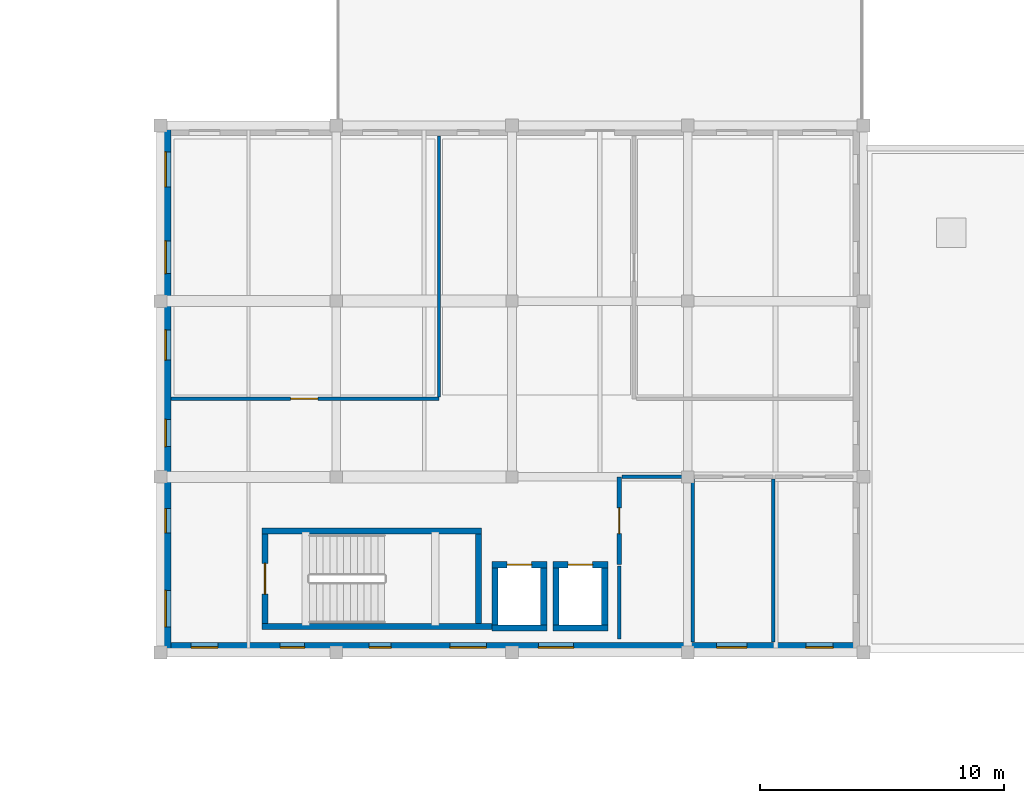
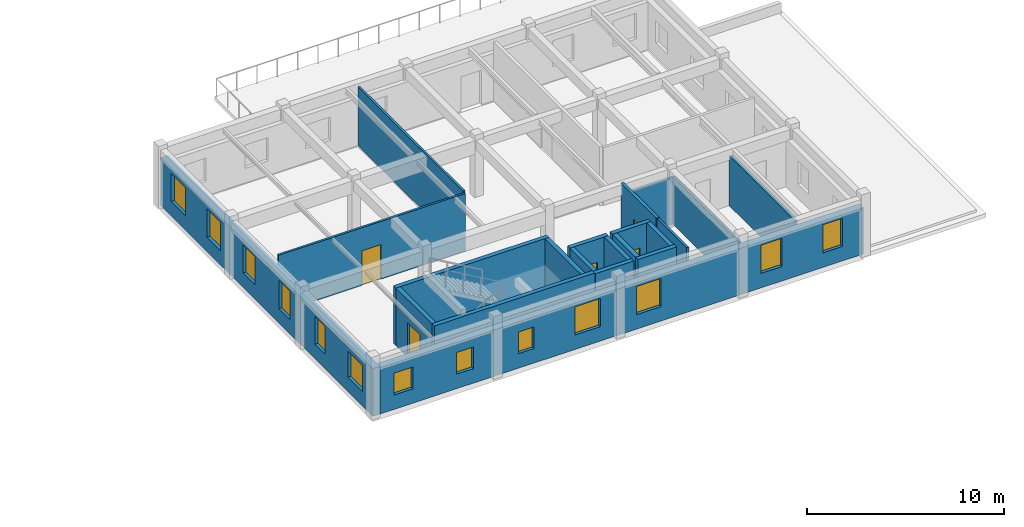
# One storey, part 11 of 20: 21 walls, 13 windows, 5 doors, 18 openings.
"""IFC4 building model written with IfcOpenShell, lengths in metres."""

import ifcopenshell
import ifcopenshell.guid

model = None  # the IFC model being written
_history = None  # IfcOwnerHistory: only IFC2X3 demands one
_inside = {}  # id of a spatial element -> (the spatial element, [elements in it])
_under = {}  # id of a project, library or spatial element -> (it, [spatial elements below it])
_declared = {}  # id of a project -> (the project, [libraries it declares])
_typed = {}  # id of a type object -> (the type object, [elements of that type])
_made_of = {}  # id of a material, layer set ... -> (it, [elements and type objects made of it])


def new_model(schema):
    """Start an empty IFC model of exactly this schema.

    Asked for "IFC4X3", IfcOpenShell would pick the latest addendum, in which some entities
    have other attributes; the version numbers below select the first issue.
    IFC2X3 requires an IfcOwnerHistory on every rooted entity: one is made here for all.
    """
    global model, _history
    if schema == "IFC4X3":
        model = ifcopenshell.file(schema_version=(4, 3, 0, 0))
    else:
        model = ifcopenshell.file(schema=schema)
    _inside.clear()
    _under.clear()
    _declared.clear()
    _typed.clear()
    _made_of.clear()
    _history = None
    if model.schema == "IFC2X3":
        org = make("IfcOrganization", Name="unknown")
        user = make(
            "IfcPersonAndOrganization",
            ThePerson=make("IfcPerson", FamilyName="unknown"),
            TheOrganization=org,
        )
        app = make(
            "IfcApplication",
            ApplicationDeveloper=org,
            Version="unknown",
            ApplicationFullName="unknown",
            ApplicationIdentifier="unknown",
        )
        _history = make(
            "IfcOwnerHistory",
            OwningUser=user,
            OwningApplication=app,
            ChangeAction="ADDED",
            CreationDate=0,
        )
    return model


def make(cls, **values):
    """One entity of the class cls with the attributes given. An attribute that is None is left unset."""
    return model.create_entity(
        cls, **{name: value for name, value in values.items() if value is not None}
    )


def rooted(cls, **values):
    """An entity with a GlobalId (a new one), such as an element, a storey or a relation."""
    return make(cls, GlobalId=ifcopenshell.guid.new(), OwnerHistory=_history, **values)


def si_unit(unit_type, name, prefix=None):
    """IfcSIUnit, for example si_unit("LENGTHUNIT", "METRE", prefix="MILLI")."""
    return make("IfcSIUnit", UnitType=unit_type, Prefix=prefix, Name=name)


def assignment(units):
    """IfcUnitAssignment: the units of a project."""
    return None if units is None else make("IfcUnitAssignment", Units=units)


def point(xyz):
    """IfcCartesianPoint."""
    return None if xyz is None else make("IfcCartesianPoint", Coordinates=xyz)


def direction(xyz):
    """IfcDirection."""
    return None if xyz is None else make("IfcDirection", DirectionRatios=xyz)


def frame(location, z_axis=None, x_axis=None):
    """IfcAxis2Placement3D, a coordinate frame: its origin and axes. An axis left out is left unset."""
    return make(
        "IfcAxis2Placement3D",
        Location=point(location),
        Axis=direction(z_axis),
        RefDirection=direction(x_axis),
    )


def frame_2d(location, x_axis=None):
    """IfcAxis2Placement2D, a coordinate frame in the plane: its origin and x axis."""
    return make(
        "IfcAxis2Placement2D", Location=point(location), RefDirection=direction(x_axis)
    )


def origin():
    """The frame at (0, 0, 0) with its axes left unset."""
    return frame((0.0, 0.0, 0.0))


def place(relative_to, where):
    """IfcLocalPlacement: puts the frame where relative to a parent placement (None: the world)."""
    return make(
        "IfcLocalPlacement", PlacementRelTo=relative_to, RelativePlacement=where
    )


def context(
    kind, dimensions, precision=None, world=None, true_north=None, identifier=None
):
    """IfcGeometricRepresentationContext, for example the 3D "Model" context."""
    return make(
        "IfcGeometricRepresentationContext",
        ContextIdentifier=identifier,
        ContextType=kind,
        CoordinateSpaceDimension=dimensions,
        Precision=precision,
        WorldCoordinateSystem=world,
        TrueNorth=true_north,
    )


def subcontext(parent, identifier, kind, view, scale=None):
    """IfcGeometricRepresentationSubContext, for example "Body" below "Model"."""
    return make(
        "IfcGeometricRepresentationSubContext",
        ContextIdentifier=identifier,
        ContextType=kind,
        ParentContext=parent,
        TargetScale=scale,
        TargetView=view,
    )


def project(units=None, contexts=None):
    """IfcProject with its units and contexts."""
    return rooted(
        "IfcProject",
        Name="project",
        RepresentationContexts=contexts,
        UnitsInContext=assignment(units),
    )


def spatial(cls, under=None, at=None, **own):
    """A site, building, storey or space (cls), placed at a placement, below another one or the project."""
    s = rooted(cls, ObjectPlacement=at, **own)
    if under is not None:
        _under.setdefault(under.id(), (under, []))[1].append(s)
    return s


def profile(cls, at=None, kind="AREA", **sizes):
    """A parametric profile (cls). Its sizes go by their IFC names, for example OverallWidth=200.0."""
    return make(cls, ProfileType=kind, Position=at, **sizes)


def rectangle(**sizes):
    """IfcRectangleProfileDef."""
    return profile("IfcRectangleProfileDef", **sizes)


def extrude(swept, where, along, depth):
    """IfcExtrudedAreaSolid: the profile swept, set in the frame where, extruded along a direction by depth."""
    return make(
        "IfcExtrudedAreaSolid",
        SweptArea=swept,
        Position=where,
        ExtrudedDirection=direction(along),
        Depth=depth,
    )


def shape(context_of_items, identifier, shape_type, items):
    """IfcShapeRepresentation: the items that make up one representation, for example the "Body"."""
    return make(
        "IfcShapeRepresentation",
        ContextOfItems=context_of_items,
        RepresentationIdentifier=identifier,
        RepresentationType=shape_type,
        Items=items,
    )


def material(Name=None, Category=None):
    """IfcMaterial."""
    return make("IfcMaterial", Name=Name, Category=Category)


def layer(
    of_material, thickness, ventilated=None, Name=None, Category=None, Priority=None
):
    """IfcMaterialLayer: one layer of a wall or slab, of a material (None: an air gap)."""
    return make(
        "IfcMaterialLayer",
        Material=of_material,
        LayerThickness=thickness,
        IsVentilated=ventilated,
        Name=Name,
        Category=Category,
        Priority=Priority,
    )


def layer_set(layers, Name=None):
    """IfcMaterialLayerSet."""
    return make("IfcMaterialLayerSet", MaterialLayers=layers, LayerSetName=Name)


def made_of(thing, what):
    """Note that an element or type object is made of a material, layer set ...; save() writes the relation."""
    if what is not None:
        _made_of.setdefault(what.id(), (what, []))[1].append(thing)
    return thing


def type_object(cls, material=None, **own):
    """A type object (cls), such as IfcWallType, which elements share."""
    return made_of(rooted(cls, **own), material)


def element(
    cls,
    number,
    at=None,
    inside=None,
    cuts=None,
    type_object=None,
    material=None,
    context=None,
    identifier="Body",
    shape_type=None,
    held_by="IfcProductDefinitionShape",
    body=None,
    shapes=None,
    **own,
):
    """One element of the class cls, such as IfcWall. Its Tag is "e" and its number.

    at: its placement. inside: the storey or other place that contains it. cuts: it is an
    opening in that element (IfcRelVoidsElement). A single representation is given by context,
    identifier, shape_type and body (its items); several are given by shapes. held_by: the class
    of the entity that holds the representations. save() writes the other relations.
    """
    e = rooted(cls, Tag="e%d" % number, ObjectPlacement=at, **own)
    if body is not None:
        shapes = [shape(context, identifier, shape_type, body)]
    if shapes is not None:
        e.Representation = make(held_by, Representations=shapes)
    if inside is not None:
        _inside.setdefault(inside.id(), (inside, []))[1].append(e)
    if cuts is not None:
        rooted(
            "IfcRelVoidsElement", RelatingBuildingElement=cuts, RelatedOpeningElement=e
        )
    if type_object is not None:
        _typed.setdefault(type_object.id(), (type_object, []))[1].append(e)
    return made_of(e, material)


def fill(opening, filler):
    """IfcRelFillsElement: the door or window that sits in an opening."""
    return rooted(
        "IfcRelFillsElement",
        RelatingOpeningElement=opening,
        RelatedBuildingElement=filler,
    )


def aggregate(whole, parts):
    """IfcRelAggregates: a whole, such as a stair, and the parts it consists of."""
    return rooted("IfcRelAggregates", RelatingObject=whole, RelatedObjects=parts)


def save(model, path):
    """Write the relations noted so far, then the file.

    IfcRelAggregates (storeys below a building ...), IfcRelContainedInSpatialStructure (elements
    in a storey), IfcRelDefinesByType, IfcRelAssociatesMaterial and IfcRelDeclares: one each for
    every whole, place, type object, material and project.
    """
    for whole, parts in _under.values():
        aggregate(whole, parts)
    for where, things in _inside.values():
        rooted(
            "IfcRelContainedInSpatialStructure",
            RelatedElements=things,
            RelatingStructure=where,
        )
    for kind, things in _typed.values():
        rooted("IfcRelDefinesByType", RelatedObjects=things, RelatingType=kind)
    for what, things in _made_of.values():
        rooted("IfcRelAssociatesMaterial", RelatedObjects=things, RelatingMaterial=what)
    for by, libraries in _declared.values():
        rooted("IfcRelDeclares", RelatingContext=by, RelatedDefinitions=libraries)
    model.write(path)


model = new_model("IFC4")

# Units and contexts
model_context = context("Model", 3, precision=1e-05, world=origin(), true_north=direction((0.0, 1.0)))
body_context = subcontext(model_context, "Body", "Model", "MODEL_VIEW")
ifc_project = project(units=[si_unit("LENGTHUNIT", "METRE"), si_unit("AREAUNIT", "SQUARE_METRE"), si_unit("VOLUMEUNIT", "CUBIC_METRE"), si_unit("PLANEANGLEUNIT", "RADIAN"), si_unit("MASSUNIT", "GRAM", prefix="KILO")], contexts=[model_context])

# Site, building, storey
site_placement = place(None, origin())
site = spatial("IfcSite", under=ifc_project, at=site_placement, CompositionType="ELEMENT")
building_placement = place(site_placement, origin())
building = spatial("IfcBuilding", under=site, at=building_placement, Name="Bramveld Media Centre", CompositionType="ELEMENT")
storey_placement = place(building_placement, frame((0.0, 0.0, 18.0)))
storey = spatial("IfcBuildingStorey", under=building, at=storey_placement, Name="L04", CompositionType="ELEMENT", Elevation=18.0)

# Walls
ifc_material_1 = material(Name="Concrete C40/50 stair & lift core wall", Category="concrete")
ifc_layer_1 = layer(ifc_material_1, 0.25)
ifc_layer_set_1 = layer_set([ifc_layer_1], Name="Concrete C40/50 stair & lift core wall")
wall_type_1 = type_object("IfcWallType", Name="CWALL-SHEAR-250", PredefinedType="SHEAR", material=ifc_layer_set_1)
wall_1_placement = place(storey_placement, frame((69.75, 91.47509765625, 0.0), z_axis=(0.0, 0.0, 1.0), x_axis=(1.0, 0.0, 0.0)))
element("IfcWall", 1, at=wall_1_placement, inside=storey, type_object=wall_type_1, Name="ST-07 L04 stair core shear wall S", PredefinedType="SHEAR", context=body_context, shape_type="SweptSolid", body=[
    extrude(rectangle(XDim=9.570068359375, YDim=0.25, at=frame_2d((4.78515625, 0.0))), origin(), (0.0, 0.0, 1.0), 3.580078125),
])
wall_2_placement = place(storey_placement, frame((78.75, 95.375, 0.0), z_axis=(0.0, 0.0, 1.0), x_axis=(-1.0, 0.0, 0.0)))
element("IfcWall", 2, at=wall_2_placement, inside=storey, type_object=wall_type_1, Name="ST-07 L04 stair core shear wall N", PredefinedType="SHEAR", context=body_context, shape_type="SweptSolid", body=[
    extrude(rectangle(XDim=9.0, YDim=0.25, at=frame_2d((4.5, 0.0))), origin(), (0.0, 0.0, 1.0), 3.580078125),
])

# Wall, opening, door
wall_3_placement = place(storey_placement, frame((69.875, 95.25, 0.0), z_axis=(0.0, 0.0, 1.0), x_axis=(0.0, -1.0, 0.0)))
wall_3 = element("IfcWall", 3, at=wall_3_placement, inside=storey, type_object=wall_type_1, Name="ST-07 L04 stair core shear wall W", PredefinedType="SHEAR", context=body_context, shape_type="SweptSolid", body=[
    extrude(rectangle(XDim=3.64990234375, YDim=0.25, at=frame_2d((1.824951171875, 0.0))), origin(), (0.0, 0.0, 1.0), 3.580078125),
])
opening_1_placement = place(wall_3_placement, frame((1.199951171875, 0.0, 0.0)))
opening_1 = element("IfcOpeningElement", 4, at=opening_1_placement, cuts=wall_3, Name="Opening SD-07-L04", PredefinedType="OPENING", context=body_context, shape_type="SweptSolid", body=[
    extrude(rectangle(XDim=1.25, YDim=2.14990234375, at=frame_2d((0.625, 1.074951171875))), frame((0.0, 0.136962890625, 0.0), z_axis=(0.0, -1.0, 0.0), x_axis=(1.0, 0.0, 0.0)), (0.0, 0.0, 1.0), 0.27392578125),
])
ifc_material_2 = material(Name="Painted galvanized steel acoustic fire door with intumescent smoke seals", Category="steel")
door_type_1 = type_object("IfcDoorType", Name="DR-ST-1250", OperationType="NOTDEFINED", PredefinedType="DOOR", material=ifc_material_2)
door_1_placement = place(opening_1_placement, origin())
door_1 = element("IfcDoor", 5, at=door_1_placement, inside=storey, type_object=door_type_1, Name="ST-07 L04 pressurized stair fire door", OperationType="SINGLE_SWING_LEFT", OverallHeight=2.14990234375, OverallWidth=1.25, PredefinedType="DOOR", context=body_context, shape_type="SweptSolid", body=[
    extrude(rectangle(XDim=1.25, YDim=2.14990234375, at=frame_2d((0.625, 1.074951171875))), frame((0.0, 0.02490234375, 0.0), z_axis=(0.0, -1.0, 0.0), x_axis=(1.0, 0.0, 0.0)), (0.0, 0.0, 1.0), 0.050048828125),
])
fill(opening_1, door_1)

# Walls
wall_4_placement = place(storey_placement, frame((78.625, 91.60009765625, 0.0), z_axis=(0.0, 0.0, 1.0), x_axis=(0.0, 1.0, 0.0)))
element("IfcWall", 6, at=wall_4_placement, inside=storey, type_object=wall_type_1, Name="ST-07 L04 stair core shear wall E", PredefinedType="SHEAR", context=body_context, shape_type="SweptSolid", body=[
    extrude(rectangle(XDim=3.64990234375, YDim=0.25, at=frame_2d((1.824951171875, 0.0))), origin(), (0.0, 0.0, 1.0), 3.580078125),
])
wall_5_placement = place(storey_placement, frame((79.175048828125, 91.39990234375, 0.0), z_axis=(0.0, 0.0, 1.0), x_axis=(1.0, 0.0, 0.0)))
element("IfcWall", 7, at=wall_5_placement, inside=storey, type_object=wall_type_1, Name="PL-04 L04 lift shaft wall S", PredefinedType="SHEAR", context=body_context, shape_type="SweptSolid", body=[
    extrude(rectangle(XDim=2.25, YDim=0.25, at=frame_2d((1.125, 0.0))), origin(), (0.0, 0.0, 1.0), 3.580078125),
])

# Wall, opening, door
wall_6_placement = place(storey_placement, frame((81.425048828125, 94.0, 0.0), z_axis=(0.0, 0.0, 1.0), x_axis=(-1.0, 0.0, 0.0)))
wall_6 = element("IfcWall", 8, at=wall_6_placement, inside=storey, type_object=wall_type_1, Name="PL-04 L04 lift shaft wall N", PredefinedType="SHEAR", context=body_context, shape_type="SweptSolid", body=[
    extrude(rectangle(XDim=2.25, YDim=0.25, at=frame_2d((1.125, 0.0))), origin(), (0.0, 0.0, 1.0), 3.580078125),
])
opening_2_placement = place(wall_6_placement, frame((0.625, 0.0, 0.0)))
opening_2 = element("IfcOpeningElement", 9, at=opening_2_placement, cuts=wall_6, Name="Opening LD-02-04-L04", PredefinedType="OPENING", context=body_context, shape_type="SweptSolid", body=[
    extrude(rectangle(XDim=1.0, YDim=2.14990234375, at=frame_2d((0.5, 1.074951171875))), frame((0.0, 0.136962890625, 0.0), z_axis=(0.0, -1.0, 0.0), x_axis=(1.0, 0.0, 0.0)), (0.0, 0.0, 1.0), 0.27392578125),
])
ifc_material_3 = material(Name="Brushed stainless steel automatic fire-rated sliding lift landing door", Category="steel")
door_type_2 = type_object("IfcDoorType", Name="LD-TYPE-02", OperationType="SLIDING_TO_LEFT", PredefinedType="DOOR", material=ifc_material_3)
door_2_placement = place(opening_2_placement, origin())
door_2 = element("IfcDoor", 10, at=door_2_placement, inside=storey, type_object=door_type_2, Name="PL-04 L04 sliding lift landing door", OperationType="SLIDING_TO_LEFT", OverallHeight=2.14990234375, OverallWidth=1.0, PredefinedType="DOOR", context=body_context, shape_type="SweptSolid", body=[
    extrude(rectangle(XDim=1.0, YDim=2.14990234375, at=frame_2d((0.5, 1.074951171875))), frame((0.0, 0.02490234375, 0.0), z_axis=(0.0, -1.0, 0.0), x_axis=(1.0, 0.0, 0.0)), (0.0, 0.0, 1.0), 0.050048828125),
])
fill(opening_2, door_2)

# Walls
for number, where, z_axis, x_axis, name in (
    (11, (79.300048828125, 94.0, 0.0), (0.0, 0.0, 1.0), (0.0, -1.0, 0.0), "PL-04 L04 lift shaft wall W"),
    (12, (81.300048828125, 91.39990234375, 0.0), (0.0, 0.0, 1.0), (0.0, 1.0, 0.0), "PL-04 L04 lift shaft wall E"),
):
    element("IfcWall", number, at=place(storey_placement, frame(where, z_axis=z_axis, x_axis=x_axis)), inside=storey, type_object=wall_type_1, Name=name, PredefinedType="SHEAR", context=body_context, shape_type="SweptSolid", body=[
        extrude(rectangle(XDim=2.60009765625, YDim=0.25, at=frame_2d((1.300048828125, 0.0))), origin(), (0.0, 0.0, 1.0), 3.580078125),
    ])
wall_7_placement = place(storey_placement, frame((81.675048828125, 91.39990234375, 0.0), z_axis=(0.0, 0.0, 1.0), x_axis=(1.0, 0.0, 0.0)))
element("IfcWall", 13, at=wall_7_placement, inside=storey, type_object=wall_type_1, Name="PL-03 L04 lift shaft wall S", PredefinedType="SHEAR", context=body_context, shape_type="SweptSolid", body=[
    extrude(rectangle(XDim=2.25, YDim=0.25, at=frame_2d((1.125, 0.0))), origin(), (0.0, 0.0, 1.0), 3.580078125),
])

# Wall, opening, door
wall_8_placement = place(storey_placement, frame((83.925048828125, 94.0, 0.0), z_axis=(0.0, 0.0, 1.0), x_axis=(-1.0, 0.0, 0.0)))
wall_8 = element("IfcWall", 14, at=wall_8_placement, inside=storey, type_object=wall_type_1, Name="PL-03 L04 lift shaft wall N", PredefinedType="SHEAR", context=body_context, shape_type="SweptSolid", body=[
    extrude(rectangle(XDim=2.25, YDim=0.25, at=frame_2d((1.125, 0.0))), origin(), (0.0, 0.0, 1.0), 3.580078125),
])
opening_3_placement = place(wall_8_placement, frame((0.625, 0.0, 0.0)))
opening_3 = element("IfcOpeningElement", 15, at=opening_3_placement, cuts=wall_8, Name="Opening LD-02-03-L04", PredefinedType="OPENING", context=body_context, shape_type="SweptSolid", body=[
    extrude(rectangle(XDim=1.0, YDim=2.14990234375, at=frame_2d((0.5, 1.074951171875))), frame((0.0, 0.136962890625, 0.0), z_axis=(0.0, -1.0, 0.0), x_axis=(1.0, 0.0, 0.0)), (0.0, 0.0, 1.0), 0.27392578125),
])
door_3_placement = place(opening_3_placement, origin())
door_3 = element("IfcDoor", 16, at=door_3_placement, inside=storey, type_object=door_type_2, Name="PL-03 L04 sliding lift landing door", OperationType="SLIDING_TO_LEFT", OverallHeight=2.14990234375, OverallWidth=1.0, PredefinedType="DOOR", context=body_context, shape_type="SweptSolid", body=[
    extrude(rectangle(XDim=1.0, YDim=2.14990234375, at=frame_2d((0.5, 1.074951171875))), frame((0.0, 0.02490234375, 0.0), z_axis=(0.0, -1.0, 0.0), x_axis=(1.0, 0.0, 0.0)), (0.0, 0.0, 1.0), 0.050048828125),
])
fill(opening_3, door_3)

# Walls
for number, where, z_axis, x_axis, name in (
    (17, (81.800048828125, 94.0, 0.0), (0.0, 0.0, 1.0), (0.0, -1.0, 0.0), "PL-03 L04 lift shaft wall W"),
    (18, (83.800048828125, 91.39990234375, 0.0), (0.0, 0.0, 1.0), (0.0, 1.0, 0.0), "PL-03 L04 lift shaft wall E"),
):
    element("IfcWall", number, at=place(storey_placement, frame(where, z_axis=z_axis, x_axis=x_axis)), inside=storey, type_object=wall_type_1, Name=name, PredefinedType="SHEAR", context=body_context, shape_type="SweptSolid", body=[
        extrude(rectangle(XDim=2.60009765625, YDim=0.25, at=frame_2d((1.300048828125, 0.0))), origin(), (0.0, 0.0, 1.0), 3.580078125),
    ])

# Wall, openings, windows
ifc_material_4 = material(Name="Flemish red-brown clay facing brick cavity wall with concrete C35/45 inner leaf", Category="masonry")
ifc_layer_2 = layer(ifc_material_4, 0.419921875)
ifc_layer_set_2 = layer_set([ifc_layer_2], Name="Flemish red-brown clay facing brick cavity wall with concrete C35/45 inner leaf")
wall_type_2 = type_object("IfcWallType", Name="EW-BRK-420", PredefinedType="SOLIDWALL", material=ifc_layer_set_2)
wall_9_placement = place(storey_placement, frame((94.39990234375, 90.610107421875, 0.0), z_axis=(0.0, 0.0, 1.0), x_axis=(-1.0, 0.0, 0.0)))
wall_9 = element("IfcWall", 19, at=wall_9_placement, inside=storey, type_object=wall_type_2, Name="V6 L04 S facing brick exterior wall", PredefinedType="SOLIDWALL", context=body_context, shape_type="SweptSolid", body=[
    extrude(rectangle(XDim=28.7998046875, YDim=0.419921875, at=frame_2d((14.39990234375, 0.0))), origin(), (0.0, 0.0, 1.0), 2.875),
])
opening_4_placement = place(wall_9_placement, frame((1.239990234375, 0.0, 0.89990234375)))
opening_4 = element("IfcOpeningElement", 20, at=opening_4_placement, cuts=wall_9, Name="Opening W-20", PredefinedType="OPENING", context=body_context, shape_type="SweptSolid", body=[
    extrude(rectangle(XDim=1.1201171875, YDim=1.75, at=frame_2d((0.56005859375, 0.875))), frame((0.0, 0.221923828125, 0.0), z_axis=(0.0, -1.0, 0.0), x_axis=(1.0, 0.0, 0.0)), (0.0, 0.0, 1.0), 0.44384765625),
])
opening_5_placement = place(wall_9_placement, frame((4.780029296875, 0.0, 0.89990234375)))
opening_5 = element("IfcOpeningElement", 21, at=opening_5_placement, cuts=wall_9, Name="Opening W-21", PredefinedType="OPENING", context=body_context, shape_type="SweptSolid", body=[
    extrude(rectangle(XDim=1.239990234375, YDim=1.75, at=frame_2d((0.6201171875, 0.875))), frame((0.0, 0.221923828125, 0.0), z_axis=(0.0, -1.0, 0.0), x_axis=(1.0, 0.0, 0.0)), (0.0, 0.0, 1.0), 0.44384765625),
])
opening_6_placement = place(wall_9_placement, frame((11.8798828125, 0.0, 0.89990234375)))
opening_6 = element("IfcOpeningElement", 22, at=opening_6_placement, cuts=wall_9, Name="Opening W-23", PredefinedType="OPENING", context=body_context, shape_type="SweptSolid", body=[
    extrude(rectangle(XDim=1.43994140625, YDim=1.75, at=frame_2d((0.719970703125, 0.875))), frame((0.0, 0.221923828125, 0.0), z_axis=(0.0, -1.0, 0.0), x_axis=(1.0, 0.0, 0.0)), (0.0, 0.0, 1.0), 0.44384765625),
])
opening_7_placement = place(wall_9_placement, frame((15.449951171875, 0.0, 0.89990234375)))
opening_7 = element("IfcOpeningElement", 23, at=opening_7_placement, cuts=wall_9, Name="Opening W-24", PredefinedType="OPENING", context=body_context, shape_type="SweptSolid", body=[
    extrude(rectangle(XDim=1.5, YDim=1.75, at=frame_2d((0.75, 0.875))), frame((0.0, 0.221923828125, 0.0), z_axis=(0.0, -1.0, 0.0), x_axis=(1.0, 0.0, 0.0)), (0.0, 0.0, 1.0), 0.44384765625),
])
opening_8_placement = place(wall_9_placement, frame((19.35009765625, 0.0, 0.89990234375)))
opening_8 = element("IfcOpeningElement", 24, at=opening_8_placement, cuts=wall_9, Name="Opening W-01", PredefinedType="OPENING", context=body_context, shape_type="SweptSolid", body=[
    extrude(rectangle(XDim=0.89990234375, YDim=1.35009765625, at=frame_2d((0.449951171875, 0.675048828125))), frame((0.0, 0.221923828125, 0.0), z_axis=(0.0, -1.0, 0.0), x_axis=(1.0, 0.0, 0.0)), (0.0, 0.0, 1.0), 0.44384765625),
])
opening_9_placement = place(wall_9_placement, frame((22.89990234375, 0.0, 0.89990234375)))
opening_9 = element("IfcOpeningElement", 25, at=opening_9_placement, cuts=wall_9, Name="Opening W-02", PredefinedType="OPENING", context=body_context, shape_type="SweptSolid", body=[
    extrude(rectangle(XDim=1.0, YDim=1.35009765625, at=frame_2d((0.5, 0.675048828125))), frame((0.0, 0.221923828125, 0.0), z_axis=(0.0, -1.0, 0.0), x_axis=(1.0, 0.0, 0.0)), (0.0, 0.0, 1.0), 0.44384765625),
])
opening_10_placement = place(wall_9_placement, frame((26.449951171875, 0.0, 0.89990234375)))
opening_10 = element("IfcOpeningElement", 26, at=opening_10_placement, cuts=wall_9, Name="Opening W-03", PredefinedType="OPENING", context=body_context, shape_type="SweptSolid", body=[
    extrude(rectangle(XDim=1.10009765625, YDim=1.35009765625, at=frame_2d((0.550048828125, 0.675048828125))), frame((0.0, 0.221923828125, 0.0), z_axis=(0.0, -1.0, 0.0), x_axis=(1.0, 0.0, 0.0)), (0.0, 0.0, 1.0), 0.44384765625),
])
ifc_material_5 = material(Name="Thermally broken anodized bronze aluminium frame with triple acoustic glazing", Category="aluminium")
window_type_1 = type_object("IfcWindowType", Name="WIN-FAC-01", PartitioningType="SINGLE_PANEL", PredefinedType="WINDOW", material=ifc_material_5)
window_1_placement = place(opening_8_placement, origin())
window_1 = element("IfcWindow", 27, at=window_1_placement, inside=storey, type_object=window_type_1, Name="V6 L04 S acoustic facade window", OverallHeight=1.35009765625, OverallWidth=0.89990234375, PartitioningType="SINGLE_PANEL", PredefinedType="WINDOW", context=body_context, shape_type="SweptSolid", body=[
    extrude(rectangle(XDim=0.89990234375, YDim=1.35009765625, at=frame_2d((0.449951171875, 0.675048828125))), frame((0.0, 0.030029296875, 0.0), z_axis=(0.0, -1.0, 0.0), x_axis=(1.0, 0.0, 0.0)), (0.0, 0.0, 1.0), 0.06005859375),
])
fill(opening_8, window_1)
ifc_material_6 = material(Name="Thermally broken anodized bronze aluminium frame with triple acoustic glazing", Category="aluminium")
window_type_2 = type_object("IfcWindowType", Name="WIN-FAC-02", PartitioningType="SINGLE_PANEL", PredefinedType="WINDOW", material=ifc_material_6)
window_2_placement = place(opening_9_placement, origin())
window_2 = element("IfcWindow", 28, at=window_2_placement, inside=storey, type_object=window_type_2, Name="V6 L04 S acoustic facade window", OverallHeight=1.35009765625, OverallWidth=1.0, PartitioningType="SINGLE_PANEL", PredefinedType="WINDOW", context=body_context, shape_type="SweptSolid", body=[
    extrude(rectangle(XDim=1.0, YDim=1.35009765625, at=frame_2d((0.5, 0.675048828125))), frame((0.0, 0.030029296875, 0.0), z_axis=(0.0, -1.0, 0.0), x_axis=(1.0, 0.0, 0.0)), (0.0, 0.0, 1.0), 0.06005859375),
])
fill(opening_9, window_2)
ifc_material_7 = material(Name="Thermally broken anodized bronze aluminium frame with triple acoustic glazing", Category="aluminium")
window_type_3 = type_object("IfcWindowType", Name="WIN-FAC-03", PartitioningType="SINGLE_PANEL", PredefinedType="WINDOW", material=ifc_material_7)
window_3_placement = place(opening_10_placement, origin())
window_3 = element("IfcWindow", 29, at=window_3_placement, inside=storey, type_object=window_type_3, Name="V6 L04 S acoustic facade window", OverallHeight=1.35009765625, OverallWidth=1.10009765625, PartitioningType="SINGLE_PANEL", PredefinedType="WINDOW", context=body_context, shape_type="SweptSolid", body=[
    extrude(rectangle(XDim=1.10009765625, YDim=1.35009765625, at=frame_2d((0.550048828125, 0.675048828125))), frame((0.0, 0.030029296875, 0.0), z_axis=(0.0, -1.0, 0.0), x_axis=(1.0, 0.0, 0.0)), (0.0, 0.0, 1.0), 0.06005859375),
])
fill(opening_10, window_3)
ifc_material_8 = material(Name="Thermally broken anodized bronze aluminium frame with triple acoustic glazing", Category="aluminium")
window_type_4 = type_object("IfcWindowType", Name="WIN-FAC-20", PartitioningType="SINGLE_PANEL", PredefinedType="WINDOW", material=ifc_material_8)
window_4_placement = place(opening_4_placement, origin())
window_4 = element("IfcWindow", 30, at=window_4_placement, inside=storey, type_object=window_type_4, Name="V6 L04 S acoustic facade window", OverallHeight=1.75, OverallWidth=1.1201171875, PartitioningType="SINGLE_PANEL", PredefinedType="WINDOW", context=body_context, shape_type="SweptSolid", body=[
    extrude(rectangle(XDim=1.1201171875, YDim=1.75, at=frame_2d((0.56005859375, 0.875))), frame((0.0, 0.030029296875, 0.0), z_axis=(0.0, -1.0, 0.0), x_axis=(1.0, 0.0, 0.0)), (0.0, 0.0, 1.0), 0.06005859375),
])
fill(opening_4, window_4)
ifc_material_9 = material(Name="Thermally broken anodized bronze aluminium frame with triple acoustic glazing", Category="aluminium")
window_type_5 = type_object("IfcWindowType", Name="WIN-FAC-21", PartitioningType="SINGLE_PANEL", PredefinedType="WINDOW", material=ifc_material_9)
window_5_placement = place(opening_5_placement, origin())
window_5 = element("IfcWindow", 31, at=window_5_placement, inside=storey, type_object=window_type_5, Name="V6 L04 S acoustic facade window", OverallHeight=1.75, OverallWidth=1.239990234375, PartitioningType="SINGLE_PANEL", PredefinedType="WINDOW", context=body_context, shape_type="SweptSolid", body=[
    extrude(rectangle(XDim=1.239990234375, YDim=1.75, at=frame_2d((0.6201171875, 0.875))), frame((0.0, 0.030029296875, 0.0), z_axis=(0.0, -1.0, 0.0), x_axis=(1.0, 0.0, 0.0)), (0.0, 0.0, 1.0), 0.06005859375),
])
fill(opening_5, window_5)
ifc_material_10 = material(Name="Thermally broken anodized bronze aluminium frame with triple acoustic glazing", Category="aluminium")
window_type_6 = type_object("IfcWindowType", Name="WIN-FAC-23", PartitioningType="SINGLE_PANEL", PredefinedType="WINDOW", material=ifc_material_10)
window_6_placement = place(opening_6_placement, origin())
window_6 = element("IfcWindow", 32, at=window_6_placement, inside=storey, type_object=window_type_6, Name="V6 L04 S acoustic facade window", OverallHeight=1.75, OverallWidth=1.43994140625, PartitioningType="SINGLE_PANEL", PredefinedType="WINDOW", context=body_context, shape_type="SweptSolid", body=[
    extrude(rectangle(XDim=1.43994140625, YDim=1.75, at=frame_2d((0.719970703125, 0.875))), frame((0.0, 0.030029296875, 0.0), z_axis=(0.0, -1.0, 0.0), x_axis=(1.0, 0.0, 0.0)), (0.0, 0.0, 1.0), 0.06005859375),
])
fill(opening_6, window_6)
ifc_material_11 = material(Name="Thermally broken anodized bronze aluminium frame with triple acoustic glazing", Category="aluminium")
window_type_7 = type_object("IfcWindowType", Name="WIN-FAC-24", PartitioningType="SINGLE_PANEL", PredefinedType="WINDOW", material=ifc_material_11)
window_7_placement = place(opening_7_placement, origin())
window_7 = element("IfcWindow", 33, at=window_7_placement, inside=storey, type_object=window_type_7, Name="V6 L04 S acoustic facade window", OverallHeight=1.75, OverallWidth=1.5, PartitioningType="SINGLE_PANEL", PredefinedType="WINDOW", context=body_context, shape_type="SweptSolid", body=[
    extrude(rectangle(XDim=1.5, YDim=1.75, at=frame_2d((0.75, 0.875))), frame((0.0, 0.030029296875, 0.0), z_axis=(0.0, -1.0, 0.0), x_axis=(1.0, 0.0, 0.0)), (0.0, 0.0, 1.0), 0.06005859375),
])
fill(opening_7, window_7)

wall_10_placement = place(storey_placement, frame((65.81005859375, 90.39990234375, 0.0), z_axis=(0.0, 0.0, 1.0), x_axis=(0.0, 1.0, 0.0)))
wall_10 = element("IfcWall", 34, at=wall_10_placement, inside=storey, type_object=wall_type_2, Name="V6 L04 W facing brick exterior wall", PredefinedType="SOLIDWALL", context=body_context, shape_type="SweptSolid", body=[
    extrude(rectangle(XDim=21.60009765625, YDim=0.419921875, at=frame_2d((10.800048828125, 0.0))), origin(), (0.0, 0.0, 1.0), 2.97509765625),
])
opening_11_placement = place(wall_10_placement, frame((1.050048828125, 0.0, 0.89990234375)))
opening_11 = element("IfcOpeningElement", 35, at=opening_11_placement, cuts=wall_10, Name="Opening W-18", PredefinedType="OPENING", context=body_context, shape_type="SweptSolid", body=[
    extrude(rectangle(XDim=1.5, YDim=1.60009765625, at=frame_2d((0.75, 0.800048828125))), frame((0.0, 0.221923828125, 0.0), z_axis=(0.0, -1.0, 0.0), x_axis=(1.0, 0.0, 0.0)), (0.0, 0.0, 1.0), 0.44384765625),
])
opening_12_placement = place(wall_10_placement, frame((4.89990234375, 0.0, 0.89990234375)))
opening_12 = element("IfcOpeningElement", 36, at=opening_12_placement, cuts=wall_10, Name="Opening W-19", PredefinedType="OPENING", context=body_context, shape_type="SweptSolid", body=[
    extrude(rectangle(XDim=1.0, YDim=1.75, at=frame_2d((0.5, 0.875))), frame((0.0, 0.221923828125, 0.0), z_axis=(0.0, -1.0, 0.0), x_axis=(1.0, 0.0, 0.0)), (0.0, 0.0, 1.0), 0.44384765625),
])
opening_13_placement = place(wall_10_placement, frame((8.43994140625, 0.0, 0.89990234375)))
opening_13 = element("IfcOpeningElement", 37, at=opening_13_placement, cuts=wall_10, Name="Opening W-20", PredefinedType="OPENING", context=body_context, shape_type="SweptSolid", body=[
    extrude(rectangle(XDim=1.1201171875, YDim=1.75, at=frame_2d((0.56005859375, 0.875))), frame((0.0, 0.221923828125, 0.0), z_axis=(0.0, -1.0, 0.0), x_axis=(1.0, 0.0, 0.0)), (0.0, 0.0, 1.0), 0.44384765625),
])
opening_14_placement = place(wall_10_placement, frame((11.97998046875, 0.0, 0.89990234375)))
opening_14 = element("IfcOpeningElement", 38, at=opening_14_placement, cuts=wall_10, Name="Opening W-21", PredefinedType="OPENING", context=body_context, shape_type="SweptSolid", body=[
    extrude(rectangle(XDim=1.239990234375, YDim=1.75, at=frame_2d((0.6201171875, 0.875))), frame((0.0, 0.221923828125, 0.0), z_axis=(0.0, -1.0, 0.0), x_axis=(1.0, 0.0, 0.0)), (0.0, 0.0, 1.0), 0.44384765625),
])
opening_15_placement = place(wall_10_placement, frame((15.530029296875, 0.0, 0.89990234375)))
opening_15 = element("IfcOpeningElement", 39, at=opening_15_placement, cuts=wall_10, Name="Opening W-22", PredefinedType="OPENING", context=body_context, shape_type="SweptSolid", body=[
    extrude(rectangle(XDim=1.340087890625, YDim=1.75, at=frame_2d((0.669921875, 0.875))), frame((0.0, 0.221923828125, 0.0), z_axis=(0.0, -1.0, 0.0), x_axis=(1.0, 0.0, 0.0)), (0.0, 0.0, 1.0), 0.44384765625),
])
opening_16_placement = place(wall_10_placement, frame((19.080078125, 0.0, 0.89990234375)))
opening_16 = element("IfcOpeningElement", 40, at=opening_16_placement, cuts=wall_10, Name="Opening W-23", PredefinedType="OPENING", context=body_context, shape_type="SweptSolid", body=[
    extrude(rectangle(XDim=1.43994140625, YDim=1.75, at=frame_2d((0.719970703125, 0.875))), frame((0.0, 0.221923828125, 0.0), z_axis=(0.0, -1.0, 0.0), x_axis=(1.0, 0.0, 0.0)), (0.0, 0.0, 1.0), 0.44384765625),
])
ifc_material_12 = material(Name="Thermally broken anodized bronze aluminium frame with triple acoustic glazing", Category="aluminium")
window_type_8 = type_object("IfcWindowType", Name="WIN-FAC-18", PartitioningType="SINGLE_PANEL", PredefinedType="WINDOW", material=ifc_material_12)
window_8_placement = place(opening_11_placement, origin())
window_8 = element("IfcWindow", 41, at=window_8_placement, inside=storey, type_object=window_type_8, Name="V6 L04 W acoustic facade window", OverallHeight=1.60009765625, OverallWidth=1.5, PartitioningType="SINGLE_PANEL", PredefinedType="WINDOW", context=body_context, shape_type="SweptSolid", body=[
    extrude(rectangle(XDim=1.5, YDim=1.60009765625, at=frame_2d((0.75, 0.800048828125))), frame((0.0, 0.030029296875, 0.0), z_axis=(0.0, -1.0, 0.0), x_axis=(1.0, 0.0, 0.0)), (0.0, 0.0, 1.0), 0.06005859375),
])
fill(opening_11, window_8)
ifc_material_13 = material(Name="Thermally broken anodized bronze aluminium frame with triple acoustic glazing", Category="aluminium")
window_type_9 = type_object("IfcWindowType", Name="WIN-FAC-19", PartitioningType="SINGLE_PANEL", PredefinedType="WINDOW", material=ifc_material_13)
window_9_placement = place(opening_12_placement, origin())
window_9 = element("IfcWindow", 42, at=window_9_placement, inside=storey, type_object=window_type_9, Name="V6 L04 W acoustic facade window", OverallHeight=1.75, OverallWidth=1.0, PartitioningType="SINGLE_PANEL", PredefinedType="WINDOW", context=body_context, shape_type="SweptSolid", body=[
    extrude(rectangle(XDim=1.0, YDim=1.75, at=frame_2d((0.5, 0.875))), frame((0.0, 0.030029296875, 0.0), z_axis=(0.0, -1.0, 0.0), x_axis=(1.0, 0.0, 0.0)), (0.0, 0.0, 1.0), 0.06005859375),
])
fill(opening_12, window_9)
window_10_placement = place(opening_13_placement, origin())
window_10 = element("IfcWindow", 43, at=window_10_placement, inside=storey, type_object=window_type_4, Name="V6 L04 W acoustic facade window", OverallHeight=1.75, OverallWidth=1.1201171875, PartitioningType="SINGLE_PANEL", PredefinedType="WINDOW", context=body_context, shape_type="SweptSolid", body=[
    extrude(rectangle(XDim=1.1201171875, YDim=1.75, at=frame_2d((0.56005859375, 0.875))), frame((0.0, 0.030029296875, 0.0), z_axis=(0.0, -1.0, 0.0), x_axis=(1.0, 0.0, 0.0)), (0.0, 0.0, 1.0), 0.06005859375),
])
fill(opening_13, window_10)
window_11_placement = place(opening_14_placement, origin())
window_11 = element("IfcWindow", 44, at=window_11_placement, inside=storey, type_object=window_type_5, Name="V6 L04 W acoustic facade window", OverallHeight=1.75, OverallWidth=1.239990234375, PartitioningType="SINGLE_PANEL", PredefinedType="WINDOW", context=body_context, shape_type="SweptSolid", body=[
    extrude(rectangle(XDim=1.239990234375, YDim=1.75, at=frame_2d((0.6201171875, 0.875))), frame((0.0, 0.030029296875, 0.0), z_axis=(0.0, -1.0, 0.0), x_axis=(1.0, 0.0, 0.0)), (0.0, 0.0, 1.0), 0.06005859375),
])
fill(opening_14, window_11)
ifc_material_14 = material(Name="Thermally broken anodized bronze aluminium frame with triple acoustic glazing", Category="aluminium")
window_type_10 = type_object("IfcWindowType", Name="WIN-FAC-22", PartitioningType="SINGLE_PANEL", PredefinedType="WINDOW", material=ifc_material_14)
window_12_placement = place(opening_15_placement, origin())
window_12 = element("IfcWindow", 45, at=window_12_placement, inside=storey, type_object=window_type_10, Name="V6 L04 W acoustic facade window", OverallHeight=1.75, OverallWidth=1.340087890625, PartitioningType="SINGLE_PANEL", PredefinedType="WINDOW", context=body_context, shape_type="SweptSolid", body=[
    extrude(rectangle(XDim=1.340087890625, YDim=1.75, at=frame_2d((0.669921875, 0.875))), frame((0.0, 0.030029296875, 0.0), z_axis=(0.0, -1.0, 0.0), x_axis=(1.0, 0.0, 0.0)), (0.0, 0.0, 1.0), 0.06005859375),
])
fill(opening_15, window_12)
window_13_placement = place(opening_16_placement, origin())
window_13 = element("IfcWindow", 46, at=window_13_placement, inside=storey, type_object=window_type_6, Name="V6 L04 W acoustic facade window", OverallHeight=1.75, OverallWidth=1.43994140625, PartitioningType="SINGLE_PANEL", PredefinedType="WINDOW", context=body_context, shape_type="SweptSolid", body=[
    extrude(rectangle(XDim=1.43994140625, YDim=1.75, at=frame_2d((0.719970703125, 0.875))), frame((0.0, 0.030029296875, 0.0), z_axis=(0.0, -1.0, 0.0), x_axis=(1.0, 0.0, 0.0)), (0.0, 0.0, 1.0), 0.06005859375),
])
fill(opening_16, window_13)

# Wall, opening, door
ifc_material_15 = material(Name="Fire-rated twin-frame gypsum corridor wall", Category="gypsum")
ifc_layer_3 = layer(ifc_material_15, 0.179931640625)
ifc_layer_set_3 = layer_set([ifc_layer_3], Name="Fire-rated twin-frame gypsum corridor wall")
wall_type_3 = type_object("IfcWallType", Name="IW-FIRE-180", PredefinedType="PARTITIONING", material=ifc_layer_set_3)
wall_11_placement = place(storey_placement, frame((84.39990234375, 94.0, 0.0), z_axis=(0.0, 0.0, 1.0), x_axis=(0.0, 1.0, 0.0)))
wall_11 = element("IfcWall", 47, at=wall_11_placement, inside=storey, type_object=wall_type_3, Name="Exhibition Lift Lobby L04 partition wall", PredefinedType="PARTITIONING", context=body_context, shape_type="SweptSolid", body=[
    extrude(rectangle(XDim=3.60009765625, YDim=0.179931640625, at=frame_2d((1.800048828125, 0.0))), origin(), (0.0, 0.0, 1.0), 3.580078125),
])
opening_17_placement = place(wall_11_placement, frame((1.27001953125, 0.0, 0.0)))
opening_17 = element("IfcOpeningElement", 48, at=opening_17_placement, cuts=wall_11, Name="Opening D-04-177", PredefinedType="OPENING", context=body_context, shape_type="SweptSolid", body=[
    extrude(rectangle(XDim=1.06005859375, YDim=2.10009765625, at=frame_2d((0.530029296875, 1.050048828125))), frame((0.0, 0.10205078125, 0.0), z_axis=(0.0, -1.0, 0.0), x_axis=(1.0, 0.0, 0.0)), (0.0, 0.0, 1.0), 0.203857421875),
])
ifc_material_16 = material(Name="Solid-core European oak acoustic timber leaf in steel frame", Category="steel")
door_type_3 = type_object("IfcDoorType", Name="DR-WC-PMR-1060", OperationType="NOTDEFINED", PredefinedType="DOOR", material=ifc_material_16)
door_4_placement = place(opening_17_placement, origin())
door_4 = element("IfcDoor", 49, at=door_4_placement, inside=storey, type_object=door_type_3, Name="Accessible WC entrance door", OperationType="SINGLE_SWING_LEFT", OverallHeight=2.10009765625, OverallWidth=1.06005859375, PredefinedType="DOOR", context=body_context, shape_type="SweptSolid", body=[
    extrude(rectangle(XDim=1.06005859375, YDim=2.10009765625, at=frame_2d((0.530029296875, 1.050048828125))), frame((0.0, 0.02490234375, 0.0), z_axis=(0.0, -1.0, 0.0), x_axis=(1.0, 0.0, 0.0)), (0.0, 0.0, 1.0), 0.050048828125),
])
fill(opening_17, door_4)

ifc_material_17 = material(Name="Lightweight acoustic stud partition", Category="gypsum")
ifc_layer_4 = layer(ifc_material_17, 0.125)
ifc_layer_set_4 = layer_set([ifc_layer_4], Name="Lightweight acoustic stud partition")
wall_type_4 = type_object("IfcWallType", Name="IW-PART-125", PredefinedType="PARTITIONING", material=ifc_layer_set_4)
wall_12_placement = place(storey_placement, frame((66.030029296875, 100.800048828125, 0.0), z_axis=(0.0, 0.0, 1.0), x_axis=(1.0, 0.0, 0.0)))
wall_12 = element("IfcWall", 50, at=wall_12_placement, inside=storey, type_object=wall_type_4, Name="Curatorial Research & Design Office partition wall", PredefinedType="PARTITIONING", context=body_context, shape_type="SweptSolid", body=[
    extrude(rectangle(XDim=10.969970703125, YDim=0.125, at=frame_2d((5.48486328125, 0.0))), origin(), (0.0, 0.0, 1.0), 3.580078125),
])
opening_18_placement = place(wall_12_placement, frame((4.89501953125, 0.0, 0.0)))
opening_18 = element("IfcOpeningElement", 51, at=opening_18_placement, cuts=wall_12, Name="Opening D-04-180", PredefinedType="OPENING", context=body_context, shape_type="SweptSolid", body=[
    extrude(rectangle(XDim=1.1201171875, YDim=2.14990234375, at=frame_2d((0.56005859375, 1.074951171875))), frame((0.0, 0.074462890625, 0.0), z_axis=(0.0, -1.0, 0.0), x_axis=(1.0, 0.0, 0.0)), (0.0, 0.0, 1.0), 0.14892578125),
])
ifc_material_18 = material(Name="Solid-core European oak acoustic timber leaf in steel frame", Category="steel")
door_type_4 = type_object("IfcDoorType", Name="DR-RM-1120", OperationType="NOTDEFINED", PredefinedType="DOOR", material=ifc_material_18)
door_5_placement = place(opening_18_placement, origin())
door_5 = element("IfcDoor", 52, at=door_5_placement, inside=storey, type_object=door_type_4, Name="Curatorial Research & Design Office entrance door", OperationType="SINGLE_SWING_RIGHT", OverallHeight=2.14990234375, OverallWidth=1.1201171875, PredefinedType="DOOR", context=body_context, shape_type="SweptSolid", body=[
    extrude(rectangle(XDim=1.1201171875, YDim=2.14990234375, at=frame_2d((0.56005859375, 1.074951171875))), frame((0.0, 0.02490234375, 0.0), z_axis=(0.0, -1.0, 0.0), x_axis=(1.0, 0.0, 0.0)), (0.0, 0.0, 1.0), 0.050048828125),
])
fill(opening_18, door_5)

# Walls
wall_13_placement = place(storey_placement, frame((77.0, 100.87255859375, 0.0), z_axis=(0.0, 0.0, 1.0), x_axis=(0.0, 1.0, 0.0)))
element("IfcWall", 53, at=wall_13_placement, inside=storey, type_object=wall_type_4, Name="Curatorial Research & Design Office partition wall", PredefinedType="PARTITIONING", context=body_context, shape_type="SweptSolid", body=[
    extrude(rectangle(XDim=10.697509765625, YDim=0.125, at=frame_2d((5.3486328125, 0.0))), origin(), (0.0, 0.0, 1.0), 3.659912109375),
])
ifc_material_19 = material(Name="Moisture-resistant cement-board sanitary partition", Category="gypsum")
ifc_layer_5 = layer(ifc_material_19, 0.139892578125)
ifc_layer_set_5 = layer_set([ifc_layer_5], Name="Moisture-resistant cement-board sanitary partition")
wall_type_5 = type_object("IfcWallType", Name="IW-WET-140", PredefinedType="PARTITIONING", material=ifc_layer_set_5)
wall_14_placement = place(storey_placement, frame((84.5, 97.60009765625, 0.0), z_axis=(0.0, 0.0, 1.0), x_axis=(1.0, 0.0, 0.0)))
element("IfcWall", 54, at=wall_14_placement, inside=storey, type_object=wall_type_5, Name="Accessible WC partition wall", PredefinedType="PARTITIONING", context=body_context, shape_type="SweptSolid", body=[
    extrude(rectangle(XDim=2.89990234375, YDim=0.139892578125, at=frame_2d((1.449951171875, 0.0))), origin(), (0.0, 0.0, 1.0), 2.905029296875),
])
wall_15_placement = place(storey_placement, frame((87.39990234375, 90.830078125, 0.0), z_axis=(0.0, 0.0, 1.0), x_axis=(0.0, 1.0, 0.0)))
element("IfcWall", 55, at=wall_15_placement, inside=storey, type_object=wall_type_5, Name="Accessible WC partition wall", PredefinedType="PARTITIONING", context=body_context, shape_type="SweptSolid", body=[
    extrude(rectangle(XDim=6.68994140625, YDim=0.139892578125, at=frame_2d((3.344970703125, 0.0))), origin(), (0.0, 0.0, 1.0), 2.955078125),
])
wall_16_placement = place(storey_placement, frame((90.699951171875, 90.830078125, 0.0), z_axis=(0.0, 0.0, 1.0), x_axis=(0.0, 1.0, 0.0)))
element("IfcWall", 56, at=wall_16_placement, inside=storey, type_object=wall_type_5, Name="Male WC partition wall", PredefinedType="PARTITIONING", context=body_context, shape_type="SweptSolid", body=[
    extrude(rectangle(XDim=6.68994140625, YDim=0.139892578125, at=frame_2d((3.344970703125, 0.0))), origin(), (0.0, 0.0, 1.0), 3.10498046875),
])
wall_17_placement = place(storey_placement, frame((84.39990234375, 90.949951171875, 0.0), z_axis=(0.0, 0.0, 1.0), x_axis=(0.0, 1.0, 0.0)))
element("IfcWall", 57, at=wall_17_placement, inside=storey, type_object=wall_type_5, Name="Accessible WC partition wall", PredefinedType="PARTITIONING", context=body_context, shape_type="SweptSolid", body=[
    extrude(rectangle(XDim=3.0, YDim=0.139892578125, at=frame_2d((1.5, 0.0))), origin(), (0.0, 0.0, 1.0), 3.580078125),
])

save(model, "model.ifc")
